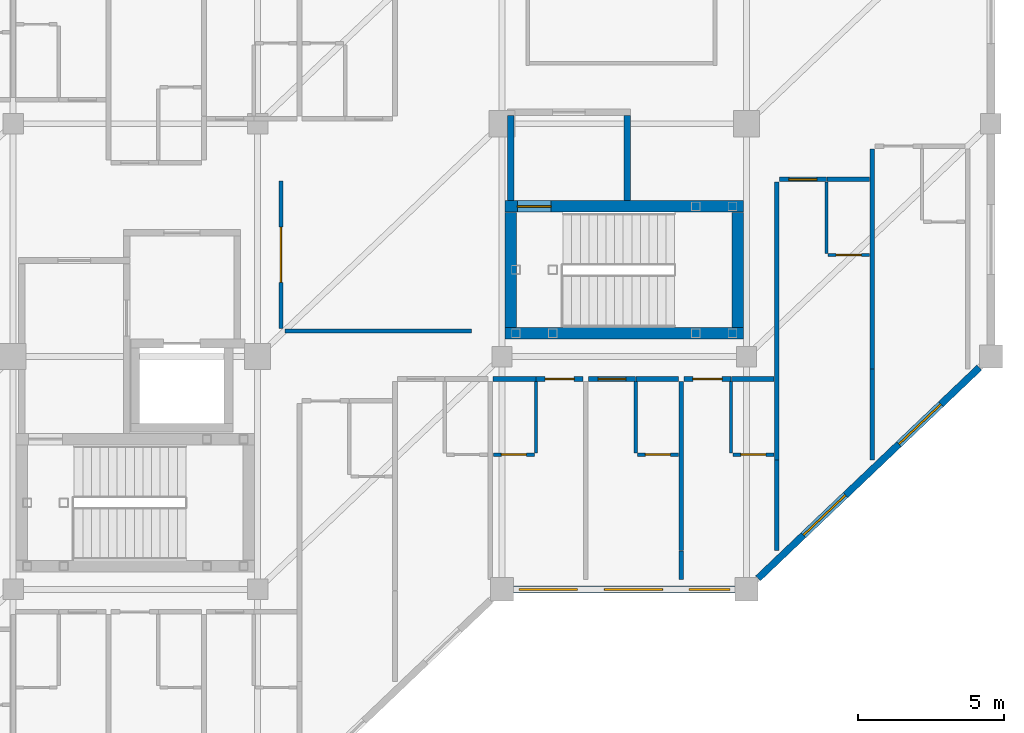
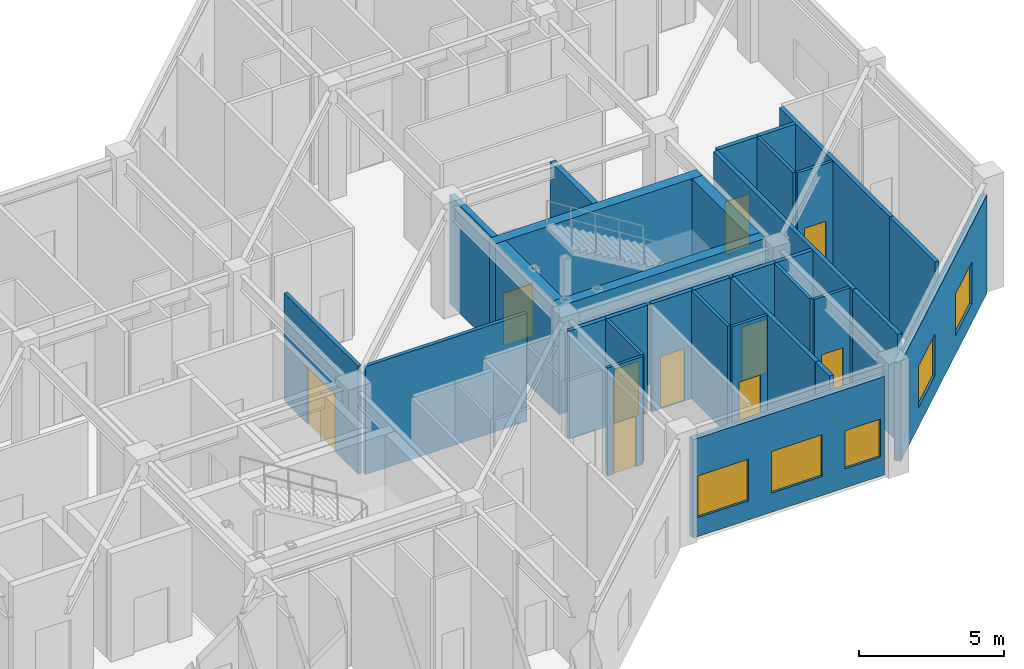
# One storey, part 29 of 37: 32 walls, 10 doors, 5 windows, 15 openings.
"""IFC4 building model written with IfcOpenShell, lengths in metres."""

from ifc_helpers import new_model, si_unit, direction, frame, frame_2d, origin, place, context, subcontext, project, spatial, rectangle, extrude, material, layer, layer_set, type_object, element, fill, save


model = new_model("IFC4")

# Units and contexts
model_context = context("Model", 3, precision=1e-05, world=origin(), true_north=direction((0.0, 1.0)))
body_context = subcontext(model_context, "Body", "Model", "MODEL_VIEW")
ifc_project = project(units=[si_unit("LENGTHUNIT", "METRE"), si_unit("AREAUNIT", "SQUARE_METRE"), si_unit("VOLUMEUNIT", "CUBIC_METRE"), si_unit("PLANEANGLEUNIT", "RADIAN"), si_unit("MASSUNIT", "GRAM", prefix="KILO")], contexts=[model_context])

# Site, building, storey
site_placement = place(None, origin())
site = spatial("IfcSite", under=ifc_project, at=site_placement, CompositionType="ELEMENT")
building_placement = place(site_placement, origin())
building = spatial("IfcBuilding", under=site, at=building_placement, Name="Naruveol Harbour Congress Hotel", CompositionType="ELEMENT")
storey_placement = place(building_placement, frame((0.0, 0.0, 16.199951171875)))
storey = spatial("IfcBuildingStorey", under=building, at=storey_placement, Name="L03", CompositionType="ELEMENT", Elevation=16.199951171875)

# Wall, opening, door
ifc_material_1 = material(Name="Acoustic Double Stud Gypsum", Category="gypsum")
ifc_layer_1 = layer(ifc_material_1, 0.139892578125)
ifc_layer_set_1 = layer_set([ifc_layer_1], Name="Acoustic Double Stud Gypsum")
wall_type_1 = type_object("IfcWallType", Name="ACOUSTIC MEETING PARTITION WALL 140", PredefinedType="PARTITIONING", material=ifc_layer_set_1)
wall_1_placement = place(storey_placement, frame((160.39990234375, 24.9599609375, 0.0), z_axis=(0.0, 0.0, 1.0), x_axis=(0.0, 1.0, 0.0)))
wall_1 = element("IfcWall", 1, at=wall_1_placement, inside=storey, type_object=wall_type_1, Name="Wellness Yoga Studio west entry wall PW-140", PredefinedType="PARTITIONING", context=body_context, shape_type="SweptSolid", body=[
    extrude(rectangle(XDim=5.080078125, YDim=0.139892578125, at=frame_2d((2.5400390625, 0.0))), origin(), (0.0, 0.0, 1.0), 4.53515625),
])
opening_1_placement = place(wall_1_placement, frame((1.590087890625, 0.0, 0.0)))
opening_1 = element("IfcOpeningElement", 2, at=opening_1_placement, cuts=wall_1, Name="Opening ID-LG-91", PredefinedType="OPENING", context=body_context, shape_type="SweptSolid", body=[
    extrude(rectangle(XDim=1.89990234375, YDim=2.39990234375, at=frame_2d((0.949951171875, 1.199951171875))), frame((0.0, 0.079833984375, 0.0), z_axis=(0.0, -1.0, 0.0), x_axis=(1.0, 0.0, 0.0)), (0.0, 0.0, 1.0), 0.159912109375),
])
ifc_material_2 = material(Name="Timber & Steel Acoustic Leaf", Category="steel")
door_type_1 = type_object("IfcDoorType", Name="RESTAURANT AND LOUNGE GLAZED DOOR 1900X2400", OperationType="DOUBLE_DOOR_SINGLE_SWING", PredefinedType="DOOR", material=ifc_material_2)
door_1_placement = place(opening_1_placement, origin())
door_1 = element("IfcDoor", 3, at=door_1_placement, inside=storey, type_object=door_type_1, Name="Wellness Yoga Studio Entrance Door", OperationType="DOUBLE_DOOR_SINGLE_SWING", OverallHeight=2.39990234375, OverallWidth=1.89990234375, PredefinedType="DOOR", context=body_context, shape_type="SweptSolid", body=[
    extrude(rectangle(XDim=1.89990234375, YDim=2.39990234375, at=frame_2d((0.949951171875, 1.199951171875))), frame((0.0, 0.02490234375, 0.0), z_axis=(0.0, -1.0, 0.0), x_axis=(1.0, 0.0, 0.0)), (0.0, 0.0, 1.0), 0.050048828125),
])
fill(opening_1, door_1)

# Walls
wall_2_placement = place(storey_placement, frame((160.5400390625, 24.8798828125, 0.0), z_axis=(0.0, 0.0, 1.0), x_axis=(1.0, 0.0, 0.0)))
element("IfcWall", 4, at=wall_2_placement, inside=storey, type_object=wall_type_1, Name="Wellness Yoga Studio south partition PW-140", PredefinedType="PARTITIONING", context=body_context, shape_type="SweptSolid", body=[
    extrude(rectangle(XDim=6.409912109375, YDim=0.139892578125, at=frame_2d((3.205078125, 0.0))), origin(), (0.0, 0.0, 1.0), 4.53515625),
])
ifc_material_3 = material(Name="Moisture-Resistant Gypsum Partition", Category="gypsum")
ifc_layer_2 = layer(ifc_material_3, 0.114990234375)
ifc_layer_set_2 = layer_set([ifc_layer_2], Name="Moisture-Resistant Gypsum Partition")
wall_type_2 = type_object("IfcWallType", Name="BATHROOM MOISTURE PARTITION WALL 115", PredefinedType="PARTITIONING", material=ifc_layer_set_2)
wall_3_placement = place(storey_placement, frame((169.169921875, 20.68994140625, 0.0), z_axis=(0.0, 0.0, 1.0), x_axis=(0.0, 1.0, 0.0)))
element("IfcWall", 5, at=wall_3_placement, inside=storey, type_object=wall_type_2, Name="Bathroom east wall 0452 PW-115", PredefinedType="PARTITIONING", context=body_context, shape_type="SweptSolid", body=[
    extrude(rectangle(XDim=2.449951171875, YDim=0.114990234375, at=frame_2d((1.22509765625, 0.0))), origin(), (0.0, 0.0, 1.0), 4.53515625),
])

# Wall, opening, door
wall_4_placement = place(storey_placement, frame((167.699951171875, 20.6298828125, 0.0), z_axis=(0.0, 0.0, 1.0), x_axis=(1.0, 0.0, 0.0)))
wall_4 = element("IfcWall", 6, at=wall_4_placement, inside=storey, type_object=wall_type_2, Name="Bathroom south wall 0452 PW-115", PredefinedType="PARTITIONING", context=body_context, shape_type="SweptSolid", body=[
    extrude(rectangle(XDim=1.41015625, YDim=0.114990234375, at=frame_2d((0.705078125, 0.0))), origin(), (0.0, 0.0, 1.0), 4.53515625),
])
opening_2_placement = place(wall_4_placement, frame((0.27490234375, 0.0, 0.0)))
opening_2 = element("IfcOpeningElement", 7, at=opening_2_placement, cuts=wall_4, Name="Opening BD-RM0452", PredefinedType="OPENING", context=body_context, shape_type="SweptSolid", body=[
    extrude(rectangle(XDim=0.860107421875, YDim=2.1201171875, at=frame_2d((0.43017578125, 1.06005859375))), frame((0.0, 0.0673828125, 0.0), z_axis=(0.0, -1.0, 0.0), x_axis=(1.0, 0.0, 0.0)), (0.0, 0.0, 1.0), 0.135009765625),
])
ifc_material_4 = material(Name="Timber & Steel Acoustic Leaf", Category="steel")
door_type_2 = type_object("IfcDoorType", Name="GUEST BATHROOM DOOR 860X2120", OperationType="NOTDEFINED", PredefinedType="DOOR", material=ifc_material_4)
door_2_placement = place(opening_2_placement, origin())
door_2 = element("IfcDoor", 8, at=door_2_placement, inside=storey, type_object=door_type_2, Name="Bathroom Door 0452", OperationType="SINGLE_SWING_RIGHT", OverallHeight=2.1201171875, OverallWidth=0.860107421875, PredefinedType="DOOR", context=body_context, shape_type="SweptSolid", body=[
    extrude(rectangle(XDim=0.860107421875, YDim=2.1201171875, at=frame_2d((0.43017578125, 1.06005859375))), frame((0.0, 0.02490234375, 0.0), z_axis=(0.0, -1.0, 0.0), x_axis=(1.0, 0.0, 0.0)), (0.0, 0.0, 1.0), 0.050048828125),
])
fill(opening_2, door_2)

# Wall
wall_5_placement = place(storey_placement, frame((172.590087890625, 20.68994140625, 0.0), z_axis=(0.0, 0.0, 1.0), x_axis=(0.0, 1.0, 0.0)))
element("IfcWall", 9, at=wall_5_placement, inside=storey, type_object=wall_type_2, Name="Bathroom west wall 0453 PW-115", PredefinedType="PARTITIONING", context=body_context, shape_type="SweptSolid", body=[
    extrude(rectangle(XDim=2.449951171875, YDim=0.114990234375, at=frame_2d((1.22509765625, 0.0))), origin(), (0.0, 0.0, 1.0), 4.53515625),
])

# Wall, opening, door
wall_6_placement = place(storey_placement, frame((172.64990234375, 20.6298828125, 0.0), z_axis=(0.0, 0.0, 1.0), x_axis=(1.0, 0.0, 0.0)))
wall_6 = element("IfcWall", 10, at=wall_6_placement, inside=storey, type_object=wall_type_2, Name="Bathroom south wall 0453 PW-115", PredefinedType="PARTITIONING", context=body_context, shape_type="SweptSolid", body=[
    extrude(rectangle(XDim=1.41015625, YDim=0.114990234375, at=frame_2d((0.705078125, 0.0))), origin(), (0.0, 0.0, 1.0), 4.53515625),
])
opening_3_placement = place(wall_6_placement, frame((0.27490234375, 0.0, 0.0)))
opening_3 = element("IfcOpeningElement", 11, at=opening_3_placement, cuts=wall_6, Name="Opening BD-RM0453", PredefinedType="OPENING", context=body_context, shape_type="SweptSolid", body=[
    extrude(rectangle(XDim=0.860107421875, YDim=2.1201171875, at=frame_2d((0.43017578125, 1.06005859375))), frame((0.0, 0.0673828125, 0.0), z_axis=(0.0, -1.0, 0.0), x_axis=(1.0, 0.0, 0.0)), (0.0, 0.0, 1.0), 0.135009765625),
])
door_3_placement = place(opening_3_placement, origin())
door_3 = element("IfcDoor", 12, at=door_3_placement, inside=storey, type_object=door_type_2, Name="Bathroom Door 0453", OperationType="SINGLE_SWING_RIGHT", OverallHeight=2.1201171875, OverallWidth=0.860107421875, PredefinedType="DOOR", context=body_context, shape_type="SweptSolid", body=[
    extrude(rectangle(XDim=0.860107421875, YDim=2.1201171875, at=frame_2d((0.43017578125, 1.06005859375))), frame((0.0, 0.02490234375, 0.0), z_axis=(0.0, -1.0, 0.0), x_axis=(1.0, 0.0, 0.0)), (0.0, 0.0, 1.0), 0.050048828125),
])
fill(opening_3, door_3)

# Wall
wall_7_placement = place(storey_placement, frame((175.8701171875, 20.68994140625, 0.0), z_axis=(0.0, 0.0, 1.0), x_axis=(0.0, 1.0, 0.0)))
element("IfcWall", 13, at=wall_7_placement, inside=storey, type_object=wall_type_2, Name="Bathroom west wall 0454 PW-115", PredefinedType="PARTITIONING", context=body_context, shape_type="SweptSolid", body=[
    extrude(rectangle(XDim=2.449951171875, YDim=0.114990234375, at=frame_2d((1.22509765625, 0.0))), origin(), (0.0, 0.0, 1.0), 4.53515625),
])

# Wall, opening, door
wall_8_placement = place(storey_placement, frame((175.929931640625, 20.6298828125, 0.0), z_axis=(0.0, 0.0, 1.0), x_axis=(1.0, 0.0, 0.0)))
wall_8 = element("IfcWall", 14, at=wall_8_placement, inside=storey, type_object=wall_type_2, Name="Bathroom south wall 0454 PW-115", PredefinedType="PARTITIONING", context=body_context, shape_type="SweptSolid", body=[
    extrude(rectangle(XDim=1.41015625, YDim=0.114990234375, at=frame_2d((0.705078125, 0.0))), origin(), (0.0, 0.0, 1.0), 4.53515625),
])
opening_4_placement = place(wall_8_placement, frame((0.27490234375, 0.0, 0.0)))
opening_4 = element("IfcOpeningElement", 15, at=opening_4_placement, cuts=wall_8, Name="Opening BD-RM0454", PredefinedType="OPENING", context=body_context, shape_type="SweptSolid", body=[
    extrude(rectangle(XDim=0.860107421875, YDim=2.1201171875, at=frame_2d((0.43017578125, 1.06005859375))), frame((0.0, 0.0673828125, 0.0), z_axis=(0.0, -1.0, 0.0), x_axis=(1.0, 0.0, 0.0)), (0.0, 0.0, 1.0), 0.135009765625),
])
door_4_placement = place(opening_4_placement, origin())
door_4 = element("IfcDoor", 16, at=door_4_placement, inside=storey, type_object=door_type_2, Name="Bathroom Door 0454", OperationType="SINGLE_SWING_RIGHT", OverallHeight=2.1201171875, OverallWidth=0.860107421875, PredefinedType="DOOR", context=body_context, shape_type="SweptSolid", body=[
    extrude(rectangle(XDim=0.860107421875, YDim=2.1201171875, at=frame_2d((0.43017578125, 1.06005859375))), frame((0.0, 0.02490234375, 0.0), z_axis=(0.0, -1.0, 0.0), x_axis=(1.0, 0.0, 0.0)), (0.0, 0.0, 1.0), 0.050048828125),
])
fill(opening_4, door_4)

# Wall
wall_9_placement = place(storey_placement, frame((179.14990234375, 27.550048828125, 0.0), z_axis=(0.0, 0.0, 1.0), x_axis=(0.0, 1.0, 0.0)))
element("IfcWall", 17, at=wall_9_placement, inside=storey, type_object=wall_type_2, Name="Bathroom west wall 0455 PW-115", PredefinedType="PARTITIONING", context=body_context, shape_type="SweptSolid", body=[
    extrude(rectangle(XDim=2.449951171875, YDim=0.114990234375, at=frame_2d((1.22509765625, 0.0))), origin(), (0.0, 0.0, 1.0), 4.53515625),
])

# Wall, opening, door
wall_10_placement = place(storey_placement, frame((179.2099609375, 27.489990234375, 0.0), z_axis=(0.0, 0.0, 1.0), x_axis=(1.0, 0.0, 0.0)))
wall_10 = element("IfcWall", 18, at=wall_10_placement, inside=storey, type_object=wall_type_2, Name="Bathroom south wall 0455 PW-115", PredefinedType="PARTITIONING", context=body_context, shape_type="SweptSolid", body=[
    extrude(rectangle(XDim=1.41015625, YDim=0.114990234375, at=frame_2d((0.705078125, 0.0))), origin(), (0.0, 0.0, 1.0), 4.53515625),
])
opening_5_placement = place(wall_10_placement, frame((0.27490234375, 0.0, 0.0)))
opening_5 = element("IfcOpeningElement", 19, at=opening_5_placement, cuts=wall_10, Name="Opening BD-RM0455", PredefinedType="OPENING", context=body_context, shape_type="SweptSolid", body=[
    extrude(rectangle(XDim=0.860107421875, YDim=2.1201171875, at=frame_2d((0.43017578125, 1.06005859375))), frame((0.0, 0.0673828125, 0.0), z_axis=(0.0, -1.0, 0.0), x_axis=(1.0, 0.0, 0.0)), (0.0, 0.0, 1.0), 0.135009765625),
])
door_5_placement = place(opening_5_placement, origin())
door_5 = element("IfcDoor", 20, at=door_5_placement, inside=storey, type_object=door_type_2, Name="Bathroom Door 0455", OperationType="SINGLE_SWING_RIGHT", OverallHeight=2.1201171875, OverallWidth=0.860107421875, PredefinedType="DOOR", context=body_context, shape_type="SweptSolid", body=[
    extrude(rectangle(XDim=0.860107421875, YDim=2.1201171875, at=frame_2d((0.43017578125, 1.06005859375))), frame((0.0, 0.02490234375, 0.0), z_axis=(0.0, -1.0, 0.0), x_axis=(1.0, 0.0, 0.0)), (0.0, 0.0, 1.0), 0.050048828125),
])
fill(opening_5, door_5)

# Walls
ifc_material_5 = material(Name="Concrete C40/50", Category="concrete")
ifc_layer_3 = layer(ifc_material_5, 0.219970703125)
ifc_layer_set_3 = layer_set([ifc_layer_3], Name="Concrete C40/50")
wall_type_3 = type_object("IfcWallType", Name="FIRE COMPARTMENT AND LOBBY WALL 220 EI120", PredefinedType="PARTITIONING", material=ifc_layer_set_3)
for number, where, z_axis, x_axis, name in (
    (21, (168.300048828125, 29.364990234375, 0.0), (0.0, 0.0, 1.0), (0.0, 1.0, 0.0), "Smoke vestibule ST4 west wall FW-220"),
    (22, (172.300048828125, 29.364990234375, 0.0), (0.0, 0.0, 1.0), (0.0, 1.0, 0.0), "Smoke vestibule ST4 east wall FW-220"),
):
    element("IfcWall", number, at=place(storey_placement, frame(where, z_axis=z_axis, x_axis=x_axis)), inside=storey, type_object=wall_type_3, Name=name, PredefinedType="PARTITIONING", context=body_context, shape_type="SweptSolid", body=[
        extrude(rectangle(XDim=2.919921875, YDim=0.219970703125, at=frame_2d((1.4599609375, 0.0))), origin(), (0.0, 0.0, 1.0), 4.53515625),
    ])
ifc_material_6 = material(Name="Autoclaved Aerated Concrete Block", Category="concrete")
ifc_layer_4 = layer(ifc_material_6, 0.159912109375)
ifc_layer_set_4 = layer_set([ifc_layer_4], Name="Autoclaved Aerated Concrete Block")
wall_type_4 = type_object("IfcWallType", Name="HOTEL PARTY AND CORRIDOR WALL 160 EI60", PredefinedType="PARTITIONING", material=ifc_layer_set_4)
wall_11_placement = place(storey_placement, frame((167.68994140625, 23.22998046875, 0.0), z_axis=(0.0, 0.0, 1.0), x_axis=(1.0, 0.0, 0.0)))
element("IfcWall", 23, at=wall_11_placement, inside=storey, type_object=wall_type_4, Name="Corridor wall 0452B PW-160", PredefinedType="PARTITIONING", context=body_context, shape_type="SweptSolid", body=[
    extrude(rectangle(XDim=1.469970703125, YDim=0.159912109375, at=frame_2d((0.73486328125, 0.0))), origin(), (0.0, 0.0, 1.0), 4.53515625),
])

# Wall, opening, door
wall_12_placement = place(storey_placement, frame((169.169921875, 23.22998046875, 0.0), z_axis=(0.0, 0.0, 1.0), x_axis=(1.0, 0.0, 0.0)))
wall_12 = element("IfcWall", 24, at=wall_12_placement, inside=storey, type_object=wall_type_4, Name="Corridor entry wall 0452 PW-160", PredefinedType="PARTITIONING", context=body_context, shape_type="SweptSolid", body=[
    extrude(rectangle(XDim=1.6201171875, YDim=0.159912109375, at=frame_2d((0.81005859375, 0.0))), origin(), (0.0, 0.0, 1.0), 4.53515625),
])
opening_6_placement = place(wall_12_placement, frame((0.31005859375, 0.0, 0.0)))
opening_6 = element("IfcOpeningElement", 25, at=opening_6_placement, cuts=wall_12, Name="Opening FD-RM0452", PredefinedType="OPENING", context=body_context, shape_type="SweptSolid", body=[
    extrude(rectangle(XDim=1.0, YDim=2.25, at=frame_2d((0.5, 1.125))), frame((0.0, 0.08984375, 0.0), z_axis=(0.0, -1.0, 0.0), x_axis=(1.0, 0.0, 0.0)), (0.0, 0.0, 1.0), 0.179931640625),
])
ifc_material_7 = material(Name="Timber & Steel Acoustic Leaf", Category="steel")
door_type_3 = type_object("IfcDoorType", Name="DELUXE GUEST ENTRANCE FIRE DOOR 1000X2250", OperationType="NOTDEFINED", PredefinedType="DOOR", material=ifc_material_7)
door_6_placement = place(opening_6_placement, origin())
door_6 = element("IfcDoor", 26, at=door_6_placement, inside=storey, type_object=door_type_3, Name="Hotel Room Door 0452", OperationType="SINGLE_SWING_LEFT", OverallHeight=2.25, OverallWidth=1.0, PredefinedType="DOOR", context=body_context, shape_type="SweptSolid", body=[
    extrude(rectangle(XDim=1.0, YDim=2.25, at=frame_2d((0.5, 1.125))), frame((0.0, 0.02490234375, 0.0), z_axis=(0.0, -1.0, 0.0), x_axis=(1.0, 0.0, 0.0)), (0.0, 0.0, 1.0), 0.050048828125),
])
fill(opening_6, door_6)

wall_13_placement = place(storey_placement, frame((170.969970703125, 23.22998046875, 0.0), z_axis=(0.0, 0.0, 1.0), x_axis=(1.0, 0.0, 0.0)))
wall_13 = element("IfcWall", 27, at=wall_13_placement, inside=storey, type_object=wall_type_4, Name="Corridor entry wall 0453 PW-160", PredefinedType="PARTITIONING", context=body_context, shape_type="SweptSolid", body=[
    extrude(rectangle(XDim=1.6201171875, YDim=0.159912109375, at=frame_2d((0.81005859375, 0.0))), origin(), (0.0, 0.0, 1.0), 4.53515625),
])
opening_7_placement = place(wall_13_placement, frame((0.330078125, 0.0, 0.0)))
opening_7 = element("IfcOpeningElement", 28, at=opening_7_placement, cuts=wall_13, Name="Opening FD-RM0453", PredefinedType="OPENING", context=body_context, shape_type="SweptSolid", body=[
    extrude(rectangle(XDim=0.9599609375, YDim=2.199951171875, at=frame_2d((0.47998046875, 1.10009765625))), frame((0.0, 0.08984375, 0.0), z_axis=(0.0, -1.0, 0.0), x_axis=(1.0, 0.0, 0.0)), (0.0, 0.0, 1.0), 0.179931640625),
])
ifc_material_8 = material(Name="Timber & Steel Acoustic Leaf", Category="steel")
door_type_4 = type_object("IfcDoorType", Name="GUEST ROOM ENTRANCE FIRE DOOR 960X2200", OperationType="NOTDEFINED", PredefinedType="DOOR", material=ifc_material_8)
door_7_placement = place(opening_7_placement, origin())
door_7 = element("IfcDoor", 29, at=door_7_placement, inside=storey, type_object=door_type_4, Name="Hotel Room Door 0453", OperationType="SINGLE_SWING_LEFT", OverallHeight=2.199951171875, OverallWidth=0.9599609375, PredefinedType="DOOR", context=body_context, shape_type="SweptSolid", body=[
    extrude(rectangle(XDim=0.9599609375, YDim=2.199951171875, at=frame_2d((0.47998046875, 1.10009765625))), frame((0.0, 0.02490234375, 0.0), z_axis=(0.0, -1.0, 0.0), x_axis=(1.0, 0.0, 0.0)), (0.0, 0.0, 1.0), 0.050048828125),
])
fill(opening_7, door_7)

# Walls
wall_14_placement = place(storey_placement, frame((172.60009765625, 23.22998046875, 0.0), z_axis=(0.0, 0.0, 1.0), x_axis=(1.0, 0.0, 0.0)))
element("IfcWall", 30, at=wall_14_placement, inside=storey, type_object=wall_type_4, Name="Corridor wall 0453B PW-160", PredefinedType="PARTITIONING", context=body_context, shape_type="SweptSolid", body=[
    extrude(rectangle(XDim=1.469970703125, YDim=0.159912109375, at=frame_2d((0.73486328125, 0.0))), origin(), (0.0, 0.0, 1.0), 4.53515625),
])
wall_15_placement = place(storey_placement, frame((174.159912109375, 16.340087890625, 0.0), z_axis=(0.0, 0.0, 1.0), x_axis=(0.0, 1.0, 0.0)))
element("IfcWall", 31, at=wall_15_placement, inside=storey, type_object=wall_type_4, Name="Hotel end party wall 0453 PW-160", PredefinedType="PARTITIONING", context=body_context, shape_type="SweptSolid", body=[
    extrude(rectangle(XDim=0.97998046875, YDim=0.159912109375, at=frame_2d((0.489990234375, 0.0))), origin(), (0.0, 0.0, 1.0), 4.53515625),
])

# Wall, opening, door
wall_16_placement = place(storey_placement, frame((174.25, 23.22998046875, 0.0), z_axis=(0.0, 0.0, 1.0), x_axis=(1.0, 0.0, 0.0)))
wall_16 = element("IfcWall", 32, at=wall_16_placement, inside=storey, type_object=wall_type_4, Name="Corridor entry wall 0454 PW-160", PredefinedType="PARTITIONING", context=body_context, shape_type="SweptSolid", body=[
    extrude(rectangle(XDim=1.6201171875, YDim=0.159912109375, at=frame_2d((0.81005859375, 0.0))), origin(), (0.0, 0.0, 1.0), 4.53515625),
])
opening_8_placement = place(wall_16_placement, frame((0.31005859375, 0.0, 0.0)))
opening_8 = element("IfcOpeningElement", 33, at=opening_8_placement, cuts=wall_16, Name="Opening FD-RM0454", PredefinedType="OPENING", context=body_context, shape_type="SweptSolid", body=[
    extrude(rectangle(XDim=1.0, YDim=2.25, at=frame_2d((0.5, 1.125))), frame((0.0, 0.08984375, 0.0), z_axis=(0.0, -1.0, 0.0), x_axis=(1.0, 0.0, 0.0)), (0.0, 0.0, 1.0), 0.179931640625),
])
door_8_placement = place(opening_8_placement, origin())
door_8 = element("IfcDoor", 34, at=door_8_placement, inside=storey, type_object=door_type_3, Name="Hotel Room Door 0454", OperationType="SINGLE_SWING_LEFT", OverallHeight=2.25, OverallWidth=1.0, PredefinedType="DOOR", context=body_context, shape_type="SweptSolid", body=[
    extrude(rectangle(XDim=1.0, YDim=2.25, at=frame_2d((0.5, 1.125))), frame((0.0, 0.02490234375, 0.0), z_axis=(0.0, -1.0, 0.0), x_axis=(1.0, 0.0, 0.0)), (0.0, 0.0, 1.0), 0.050048828125),
])
fill(opening_8, door_8)

# Walls
wall_17_placement = place(storey_placement, frame((175.8798828125, 23.22998046875, 0.0), z_axis=(0.0, 0.0, 1.0), x_axis=(1.0, 0.0, 0.0)))
element("IfcWall", 35, at=wall_17_placement, inside=storey, type_object=wall_type_4, Name="Corridor wall 0454B PW-160", PredefinedType="PARTITIONING", context=body_context, shape_type="SweptSolid", body=[
    extrude(rectangle(XDim=1.47021484375, YDim=0.159912109375, at=frame_2d((0.735107421875, 0.0))), origin(), (0.0, 0.0, 1.0), 4.53515625),
])
wall_18_placement = place(storey_placement, frame((174.159912109375, 17.330078125, 0.0), z_axis=(0.0, 0.0, 1.0), x_axis=(0.0, 1.0, 0.0)))
element("IfcWall", 36, at=wall_18_placement, inside=storey, type_object=wall_type_4, Name="Hotel party wall 0454 PW-160", PredefinedType="PARTITIONING", context=body_context, shape_type="SweptSolid", body=[
    extrude(rectangle(XDim=5.809814453125, YDim=0.159912109375, at=frame_2d((2.90478515625, 0.0))), origin(), (0.0, 0.0, 1.0), 4.53515625),
])
wall_19_placement = place(storey_placement, frame((177.43994140625, 17.330078125, 0.0), z_axis=(0.0, 0.0, 1.0), x_axis=(0.0, 1.0, 0.0)))
element("IfcWall", 37, at=wall_19_placement, inside=storey, type_object=wall_type_4, Name="Hotel end party wall 0454 PW-160", PredefinedType="PARTITIONING", context=body_context, shape_type="SweptSolid", body=[
    extrude(rectangle(XDim=3.10986328125, YDim=0.159912109375, at=frame_2d((1.554931640625, 0.0))), origin(), (0.0, 0.0, 1.0), 4.53515625),
])

# Wall, opening, door
wall_20_placement = place(storey_placement, frame((177.530029296875, 30.090087890625, 0.0), z_axis=(0.0, 0.0, 1.0), x_axis=(1.0, 0.0, 0.0)))
wall_20 = element("IfcWall", 38, at=wall_20_placement, inside=storey, type_object=wall_type_4, Name="Corridor entry wall 0455 PW-160", PredefinedType="PARTITIONING", context=body_context, shape_type="SweptSolid", body=[
    extrude(rectangle(XDim=1.619873046875, YDim=0.159912109375, at=frame_2d((0.81005859375, 0.0))), origin(), (0.0, 0.0, 1.0), 4.53515625),
])
opening_9_placement = place(wall_20_placement, frame((0.330078125, 0.0, 0.0)))
opening_9 = element("IfcOpeningElement", 39, at=opening_9_placement, cuts=wall_20, Name="Opening FD-RM0455", PredefinedType="OPENING", context=body_context, shape_type="SweptSolid", body=[
    extrude(rectangle(XDim=0.9599609375, YDim=2.199951171875, at=frame_2d((0.47998046875, 1.10009765625))), frame((0.0, 0.08984375, 0.0), z_axis=(0.0, -1.0, 0.0), x_axis=(1.0, 0.0, 0.0)), (0.0, 0.0, 1.0), 0.179931640625),
])
door_9_placement = place(opening_9_placement, origin())
door_9 = element("IfcDoor", 40, at=door_9_placement, inside=storey, type_object=door_type_4, Name="Hotel Room Door 0455", OperationType="SINGLE_SWING_LEFT", OverallHeight=2.199951171875, OverallWidth=0.9599609375, PredefinedType="DOOR", context=body_context, shape_type="SweptSolid", body=[
    extrude(rectangle(XDim=0.9599609375, YDim=2.199951171875, at=frame_2d((0.47998046875, 1.10009765625))), frame((0.0, 0.02490234375, 0.0), z_axis=(0.0, -1.0, 0.0), x_axis=(1.0, 0.0, 0.0)), (0.0, 0.0, 1.0), 0.050048828125),
])
fill(opening_9, door_9)

# Walls
wall_21_placement = place(storey_placement, frame((179.159912109375, 30.090087890625, 0.0), z_axis=(0.0, 0.0, 1.0), x_axis=(1.0, 0.0, 0.0)))
element("IfcWall", 41, at=wall_21_placement, inside=storey, type_object=wall_type_4, Name="Corridor wall 0455B PW-160", PredefinedType="PARTITIONING", context=body_context, shape_type="SweptSolid", body=[
    extrude(rectangle(XDim=1.469970703125, YDim=0.159912109375, at=frame_2d((0.73486328125, 0.0))), origin(), (0.0, 0.0, 1.0), 4.53515625),
])
wall_22_placement = place(storey_placement, frame((177.43994140625, 20.449951171875, 0.0), z_axis=(0.0, 0.0, 1.0), x_axis=(0.0, 1.0, 0.0)))
element("IfcWall", 42, at=wall_22_placement, inside=storey, type_object=wall_type_4, Name="Hotel party wall 0455 PW-160", PredefinedType="PARTITIONING", context=body_context, shape_type="SweptSolid", body=[
    extrude(rectangle(XDim=9.550048828125, YDim=0.159912109375, at=frame_2d((4.77490234375, 0.0))), origin(), (0.0, 0.0, 1.0), 4.53515625),
])
wall_23_placement = place(storey_placement, frame((180.719970703125, 20.449951171875, 0.0), z_axis=(0.0, 0.0, 1.0), x_axis=(0.0, 1.0, 0.0)))
element("IfcWall", 43, at=wall_23_placement, inside=storey, type_object=wall_type_4, Name="Hotel end party wall 0455 PW-160", PredefinedType="PARTITIONING", context=body_context, shape_type="SweptSolid", body=[
    extrude(rectangle(XDim=3.1201171875, YDim=0.159912109375, at=frame_2d((1.56005859375, 0.0))), origin(), (0.0, 0.0, 1.0), 4.53515625),
])
wall_24_placement = place(storey_placement, frame((180.719970703125, 23.580078125, 0.0), z_axis=(0.0, 0.0, 1.0), x_axis=(0.0, 1.0, 0.0)))
element("IfcWall", 44, at=wall_24_placement, inside=storey, type_object=wall_type_4, Name="Hotel party wall 0456 PW-160", PredefinedType="PARTITIONING", context=body_context, shape_type="SweptSolid", body=[
    extrude(rectangle(XDim=7.559814453125, YDim=0.159912109375, at=frame_2d((3.77978515625, 0.0))), origin(), (0.0, 0.0, 1.0), 4.53515625),
])

# Wall, openings, windows
ifc_material_9 = material(Name="Concrete C40/50", Category="concrete")
ifc_layer_5 = layer(ifc_material_9, 0.239990234375)
ifc_layer_set_5 = layer_set([ifc_layer_5], Name="Concrete C40/50")
wall_type_5 = type_object("IfcWallType", Name="INSULATED HOTEL SPANDREL WALL 240", PredefinedType="SOLIDWALL", material=ifc_layer_set_5)
wall_25_placement = place(storey_placement, frame((176.0, 16.0, 0.0), z_axis=(0.0, 0.0, 1.0), x_axis=(-1.0, 0.0, 0.0)))
wall_25 = element("IfcWall", 45, at=wall_25_placement, inside=storey, type_object=wall_type_5, Name="Hotel south waterfront wall L03 EW-240", PredefinedType="SOLIDWALL", context=body_context, shape_type="SweptSolid", body=[
    extrude(rectangle(XDim=7.60009765625, YDim=0.239990234375, at=frame_2d((3.800048828125, 0.0))), origin(), (0.0, 0.0, 1.0), 4.130126953125),
])
opening_10_placement = place(wall_25_placement, frame((0.169921875, 0.0, 0.800048828125)))
opening_10 = element("IfcOpeningElement", 46, at=opening_10_placement, cuts=wall_25, Name="Opening W-02", PredefinedType="OPENING", context=body_context, shape_type="SweptSolid", body=[
    extrude(rectangle(XDim=1.39990234375, YDim=1.60009765625, at=frame_2d((0.699951171875, 0.800048828125))), frame((0.0, 0.1298828125, 0.0), z_axis=(0.0, -1.0, 0.0), x_axis=(1.0, 0.0, 0.0)), (0.0, 0.0, 1.0), 0.260009765625),
])
opening_11_placement = place(wall_25_placement, frame((2.47998046875, 0.0, 0.800048828125)))
opening_11 = element("IfcOpeningElement", 47, at=opening_11_placement, cuts=wall_25, Name="Opening W-05", PredefinedType="OPENING", context=body_context, shape_type="SweptSolid", body=[
    extrude(rectangle(XDim=2.0, YDim=1.75, at=frame_2d((1.0, 0.875))), frame((0.0, 0.1298828125, 0.0), z_axis=(0.0, -1.0, 0.0), x_axis=(1.0, 0.0, 0.0)), (0.0, 0.0, 1.0), 0.260009765625),
])
opening_12_placement = place(wall_25_placement, frame((5.409912109375, 0.0, 0.800048828125)))
opening_12 = element("IfcOpeningElement", 48, at=opening_12_placement, cuts=wall_25, Name="Opening W-05", PredefinedType="OPENING", context=body_context, shape_type="SweptSolid", body=[
    extrude(rectangle(XDim=2.0, YDim=1.75, at=frame_2d((1.0, 0.875))), frame((0.0, 0.1298828125, 0.0), z_axis=(0.0, -1.0, 0.0), x_axis=(1.0, 0.0, 0.0)), (0.0, 0.0, 1.0), 0.260009765625),
])
ifc_material_10 = material(Name="Low-E Triple Glazing in Thermal Aluminium", Category="aluminium")
window_type_1 = type_object("IfcWindowType", Name="GARDEN SUITE WINDOW 2000X1750", PartitioningType="DOUBLE_PANEL_VERTICAL", PredefinedType="WINDOW", material=ifc_material_10)
window_1_placement = place(opening_11_placement, origin())
window_1 = element("IfcWindow", 49, at=window_1_placement, inside=storey, type_object=window_type_1, Name="Window W-05 #256", OverallHeight=1.75, OverallWidth=2.0, PartitioningType="DOUBLE_PANEL_VERTICAL", PredefinedType="WINDOW", context=body_context, shape_type="SweptSolid", body=[
    extrude(rectangle(XDim=2.0, YDim=1.75, at=frame_2d((1.0, 0.875))), frame((0.0, 0.030029296875, 0.0), z_axis=(0.0, -1.0, 0.0), x_axis=(1.0, 0.0, 0.0)), (0.0, 0.0, 1.0), 0.06005859375),
])
fill(opening_11, window_1)
window_2_placement = place(opening_12_placement, origin())
window_2 = element("IfcWindow", 50, at=window_2_placement, inside=storey, type_object=window_type_1, Name="Window W-05 #257", OverallHeight=1.75, OverallWidth=2.0, PartitioningType="DOUBLE_PANEL_VERTICAL", PredefinedType="WINDOW", context=body_context, shape_type="SweptSolid", body=[
    extrude(rectangle(XDim=2.0, YDim=1.75, at=frame_2d((1.0, 0.875))), frame((0.0, 0.030029296875, 0.0), z_axis=(0.0, -1.0, 0.0), x_axis=(1.0, 0.0, 0.0)), (0.0, 0.0, 1.0), 0.06005859375),
])
fill(opening_12, window_2)
ifc_material_11 = material(Name="Low-E Triple Glazing in Thermal Aluminium", Category="aluminium")
window_type_2 = type_object("IfcWindowType", Name="GUEST ROOM HARBOUR WINDOW 1400X1600", PartitioningType="SINGLE_PANEL", PredefinedType="WINDOW", material=ifc_material_11)
window_3_placement = place(opening_10_placement, origin())
window_3 = element("IfcWindow", 51, at=window_3_placement, inside=storey, type_object=window_type_2, Name="Window W-02 #255", OverallHeight=1.60009765625, OverallWidth=1.39990234375, PartitioningType="SINGLE_PANEL", PredefinedType="WINDOW", context=body_context, shape_type="SweptSolid", body=[
    extrude(rectangle(XDim=1.39990234375, YDim=1.60009765625, at=frame_2d((0.699951171875, 0.800048828125))), frame((0.0, 0.030029296875, 0.0), z_axis=(0.0, -1.0, 0.0), x_axis=(1.0, 0.0, 0.0)), (0.0, 0.0, 1.0), 0.06005859375),
])
fill(opening_10, window_3)

wall_26_placement = place(storey_placement, frame((184.39990234375, 23.618896484375, 0.0), z_axis=(0.0, 0.0, 1.0), x_axis=(-0.724145676014, -0.689647040094, 0.0)))
wall_26 = element("IfcWall", 52, at=wall_26_placement, inside=storey, type_object=wall_type_5, Name="Hotel south waterfront wall L03 EW-240", PredefinedType="SOLIDWALL", context=body_context, shape_type="SweptSolid", body=[
    extrude(rectangle(XDim=10.494873046875, YDim=0.239990234375, at=frame_2d((5.24755859375, 0.0))), origin(), (0.0, 0.0, 1.0), 4.130126953125),
])
opening_13_placement = place(wall_26_placement, frame((1.81689453125, 0.0, 0.800048828125)))
opening_13 = element("IfcOpeningElement", 53, at=opening_13_placement, cuts=wall_26, Name="Opening W-05", PredefinedType="OPENING", context=body_context, shape_type="SweptSolid", body=[
    extrude(rectangle(XDim=2.0, YDim=1.75, at=frame_2d((1.0, 0.875))), frame((0.0, 0.1298828125, 0.0), z_axis=(0.0, -1.0, 0.0), x_axis=(1.0, 0.0, 0.0)), (0.0, 0.0, 1.0), 0.260009765625),
])
opening_14_placement = place(wall_26_placement, frame((6.346923828125, 0.0, 0.800048828125)))
opening_14 = element("IfcOpeningElement", 54, at=opening_14_placement, cuts=wall_26, Name="Opening W-05", PredefinedType="OPENING", context=body_context, shape_type="SweptSolid", body=[
    extrude(rectangle(XDim=2.0, YDim=1.75, at=frame_2d((1.0, 0.875))), frame((0.0, 0.1298828125, 0.0), z_axis=(0.0, -1.0, 0.0), x_axis=(1.0, 0.0, 0.0)), (0.0, 0.0, 1.0), 0.260009765625),
])
window_4_placement = place(opening_13_placement, origin())
window_4 = element("IfcWindow", 55, at=window_4_placement, inside=storey, type_object=window_type_1, Name="Window W-05 #261", OverallHeight=1.75, OverallWidth=2.0, PartitioningType="DOUBLE_PANEL_VERTICAL", PredefinedType="WINDOW", context=body_context, shape_type="SweptSolid", body=[
    extrude(rectangle(XDim=2.0, YDim=1.75, at=frame_2d((1.0, 0.875))), frame((0.0, 0.030029296875, 0.0), z_axis=(0.0, -1.0, 0.0), x_axis=(1.0, 0.0, 0.0)), (0.0, 0.0, 1.0), 0.06005859375),
])
fill(opening_13, window_4)
window_5_placement = place(opening_14_placement, origin())
window_5 = element("IfcWindow", 56, at=window_5_placement, inside=storey, type_object=window_type_1, Name="Window W-05 #262", OverallHeight=1.75, OverallWidth=2.0, PartitioningType="DOUBLE_PANEL_VERTICAL", PredefinedType="WINDOW", context=body_context, shape_type="SweptSolid", body=[
    extrude(rectangle(XDim=2.0, YDim=1.75, at=frame_2d((1.0, 0.875))), frame((0.0, 0.030029296875, 0.0), z_axis=(0.0, -1.0, 0.0), x_axis=(1.0, 0.0, 0.0)), (0.0, 0.0, 1.0), 0.06005859375),
])
fill(opening_14, window_5)

# Walls
ifc_material_12 = material(Name="Concrete C50/60", Category="concrete")
ifc_layer_6 = layer(ifc_material_12, 0.39990234375)
ifc_layer_set_6 = layer_set([ifc_layer_6], Name="Concrete C50/60")
wall_type_6 = type_object("IfcWallType", Name="RC CORE SHEAR WALL 400 EI120", PredefinedType="SHEAR", material=ifc_layer_set_6)
wall_27_placement = place(storey_placement, frame((168.10009765625, 24.800048828125, 0.0), z_axis=(0.0, 0.0, 1.0), x_axis=(1.0, 0.0, 0.0)))
element("IfcWall", 57, at=wall_27_placement, inside=storey, type_object=wall_type_6, Name="Stair ST4 south core wall CW-400", PredefinedType="SHEAR", context=body_context, shape_type="SweptSolid", body=[
    extrude(rectangle(XDim=8.199951171875, YDim=0.39990234375, at=frame_2d((4.10009765625, 0.0))), origin(), (0.0, 0.0, 1.0), 4.53515625),
])
wall_28_placement = place(storey_placement, frame((176.10009765625, 25.0048828125, 0.0), z_axis=(0.0, 0.0, 1.0), x_axis=(0.0, 1.0, 0.0)))
element("IfcWall", 58, at=wall_28_placement, inside=storey, type_object=wall_type_6, Name="Stair ST4 east core wall CW-400", PredefinedType="SHEAR", context=body_context, shape_type="SweptSolid", body=[
    extrude(rectangle(XDim=3.9501953125, YDim=0.39990234375, at=frame_2d((1.97509765625, 0.0))), origin(), (0.0, 0.0, 1.0), 4.53515625),
])

# Wall, opening, door
wall_29_placement = place(storey_placement, frame((168.10009765625, 29.159912109375, 0.0), z_axis=(0.0, 0.0, 1.0), x_axis=(1.0, 0.0, 0.0)))
wall_29 = element("IfcWall", 59, at=wall_29_placement, inside=storey, type_object=wall_type_6, Name="Stair ST4 north core wall CW-400", PredefinedType="SHEAR", context=body_context, shape_type="SweptSolid", body=[
    extrude(rectangle(XDim=8.199951171875, YDim=0.39990234375, at=frame_2d((4.10009765625, 0.0))), origin(), (0.0, 0.0, 1.0), 4.53515625),
])
opening_15_placement = place(wall_29_placement, frame((0.429931640625, 0.0, 0.0)))
opening_15 = element("IfcOpeningElement", 60, at=opening_15_placement, cuts=wall_29, Name="Opening FD-ST4-S-L03", PredefinedType="OPENING", context=body_context, shape_type="SweptSolid", body=[
    extrude(rectangle(XDim=1.159912109375, YDim=2.199951171875, at=frame_2d((0.580078125, 1.10009765625))), frame((0.0, 0.2099609375, 0.0), z_axis=(0.0, -1.0, 0.0), x_axis=(1.0, 0.0, 0.0)), (0.0, 0.0, 1.0), 0.419921875),
])
ifc_material_13 = material(Name="Timber & Steel Acoustic Leaf", Category="steel")
door_type_5 = type_object("IfcDoorType", Name="SPECIAL ESCAPE STAIR FIRE DOOR 1160X2200", OperationType="NOTDEFINED", PredefinedType="DOOR", material=ifc_material_13)
door_10_placement = place(opening_15_placement, origin())
door_10 = element("IfcDoor", 61, at=door_10_placement, inside=storey, type_object=door_type_5, Name="Special Escape Stair Door ST4 L03", OperationType="SINGLE_SWING_RIGHT", OverallHeight=2.199951171875, OverallWidth=1.159912109375, PredefinedType="DOOR", context=body_context, shape_type="SweptSolid", body=[
    extrude(rectangle(XDim=1.159912109375, YDim=2.199951171875, at=frame_2d((0.580078125, 1.10009765625))), frame((0.0, 0.02490234375, 0.0), z_axis=(0.0, -1.0, 0.0), x_axis=(1.0, 0.0, 0.0)), (0.0, 0.0, 1.0), 0.050048828125),
])
fill(opening_15, door_10)

# Wall
wall_30_placement = place(storey_placement, frame((168.300048828125, 25.0048828125, 0.0), z_axis=(0.0, 0.0, 1.0), x_axis=(0.0, 1.0, 0.0)))
element("IfcWall", 62, at=wall_30_placement, inside=storey, type_object=wall_type_6, Name="Stair ST4 west core wall CW-400", PredefinedType="SHEAR", context=body_context, shape_type="SweptSolid", body=[
    extrude(rectangle(XDim=3.9501953125, YDim=0.39990234375, at=frame_2d((1.97509765625, 0.0))), origin(), (0.0, 0.0, 1.0), 4.53515625),
])

save(model, "model.ifc")
